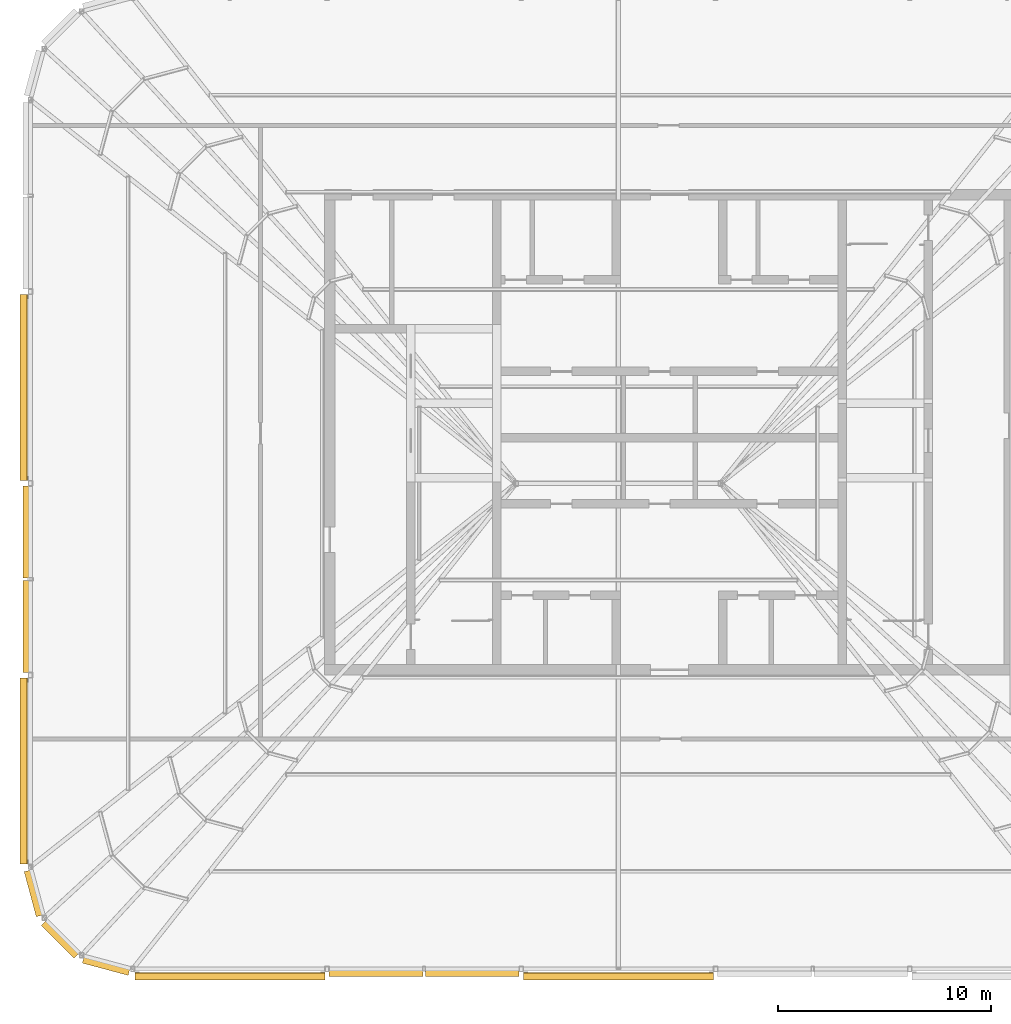
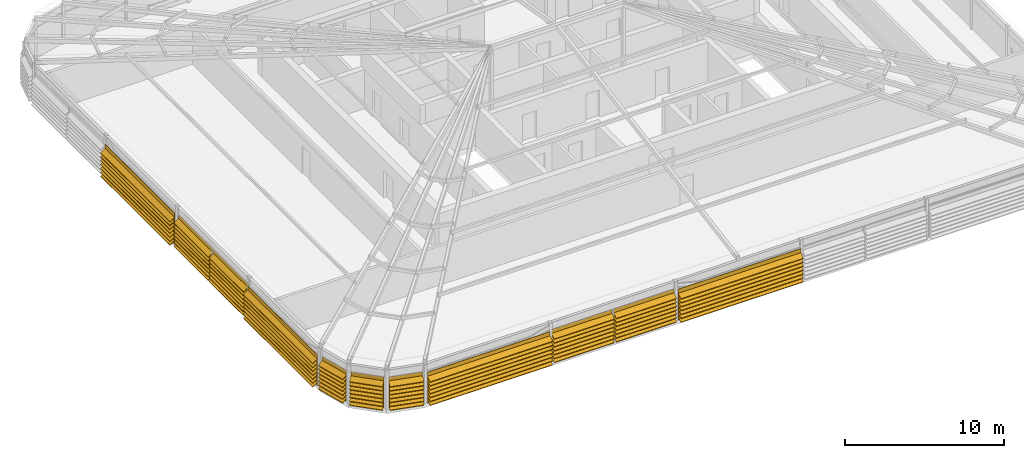
# One storey, part 42 of 46: 11 shading devices.
"""IFC4 building model written with IfcOpenShell, lengths in metres."""

from ifc_helpers import new_model, si_unit, direction, frame, origin, place, context, subcontext, project, spatial, polyline, outline, extrude, material, type_object, element, save


model = new_model("IFC4")

# Units and contexts
model_context = context("Model", 3, precision=1e-05, world=origin(), true_north=direction((0.0, 1.0)))
body_context = subcontext(model_context, "Body", "Model", "MODEL_VIEW")
ifc_project = project(units=[si_unit("LENGTHUNIT", "METRE"), si_unit("AREAUNIT", "SQUARE_METRE"), si_unit("VOLUMEUNIT", "CUBIC_METRE"), si_unit("PLANEANGLEUNIT", "RADIAN"), si_unit("MASSUNIT", "GRAM", prefix="KILO")], contexts=[model_context])

# Site, building, storey
site_placement = place(None, origin())
site = spatial("IfcSite", under=ifc_project, at=site_placement, CompositionType="ELEMENT")
building_placement = place(site_placement, origin())
building = spatial("IfcBuilding", under=site, at=building_placement, Name="Madar Terraces", CompositionType="ELEMENT")
storey_placement = place(building_placement, frame((0.0, 0.0, 317.300048828125)))
storey = spatial("IfcBuildingStorey", under=building, at=storey_placement, Name="L82", CompositionType="ELEMENT", Elevation=317.300048828125)

# Shading devices
ifc_material = material(Name="Aluminium, black anodised", Category="aluminium")
shading_device_type = type_object("IfcShadingDeviceType", Name="Crown louvre bank", PredefinedType="USERDEFINED", material=ifc_material)
shading_device_1_placement = place(storey_placement, frame((6.1015625, 1.199951171875, 0.0), z_axis=(1.0, 0.0, 0.0), x_axis=(0.0, 1.0, 0.0)))
element("IfcShadingDevice", 1, at=shading_device_1_placement, inside=storey, type_object=shading_device_type, Name="LOUVRE bank L82 1.1", ObjectType="LOUVRE", PredefinedType="USERDEFINED", context=body_context, shape_type="SweptSolid", body=[
    extrude(outline(polyline([(-0.156982421875, 0.0), (-0.18701171875, 0.0), (-0.18701171875, 0.24951171875), (-0.5146484375, 0.02001953125), (-0.5146484375, 0.06884765625), (-0.18701171875, 0.29833984375), (-0.18701171875, 0.54931640625), (-0.5146484375, 0.320068359375), (-0.5146484375, 0.368896484375), (-0.18701171875, 0.59814453125), (-0.18701171875, 0.849365234375), (-0.5146484375, 0.6201171875), (-0.5146484375, 0.6689453125), (-0.18701171875, 0.898193359375), (-0.18701171875, 1.1494140625), (-0.5146484375, 0.919921875), (-0.5146484375, 0.96875), (-0.18701171875, 1.1982421875), (-0.18701171875, 1.449462890625), (-0.5146484375, 1.219970703125), (-0.5146484375, 1.268798828125), (-0.18701171875, 1.498291015625), (-0.18701171875, 1.74951171875), (-0.5146484375, 1.52001953125), (-0.5146484375, 1.56884765625), (-0.18701171875, 1.79833984375), (-0.18701171875, 2.04931640625), (-0.5146484375, 1.820068359375), (-0.5146484375, 1.868896484375), (-0.18701171875, 2.09814453125), (-0.18701171875, 2.39794921875), (-0.156982421875, 2.39794921875), (-0.156982421875, 0.0)])), origin(), (0.0, 0.0, 1.0), 8.916748046875),
])
shading_device_2_placement = place(storey_placement, frame((15.2216796875, 1.199951171875, 0.0), z_axis=(1.0, 0.0, 0.0), x_axis=(0.0, 1.0, 0.0)))
element("IfcShadingDevice", 2, at=shading_device_2_placement, inside=storey, type_object=shading_device_type, Name="LOUVRE bank L82 2.1", ObjectType="LOUVRE", PredefinedType="USERDEFINED", context=body_context, shape_type="SweptSolid", body=[
    extrude(outline(polyline([(0.014892578125, 0.0), (-0.014892578125, 0.0), (-0.014892578125, 0.24951171875), (-0.3427734375, 0.02001953125), (-0.3427734375, 0.06884765625), (-0.014892578125, 0.29833984375), (-0.014892578125, 0.54931640625), (-0.3427734375, 0.320068359375), (-0.3427734375, 0.368896484375), (-0.014892578125, 0.59814453125), (-0.014892578125, 0.849365234375), (-0.3427734375, 0.6201171875), (-0.3427734375, 0.6689453125), (-0.014892578125, 0.898193359375), (-0.014892578125, 1.1494140625), (-0.3427734375, 0.919921875), (-0.3427734375, 0.96875), (-0.014892578125, 1.1982421875), (-0.014892578125, 1.449462890625), (-0.3427734375, 1.219970703125), (-0.3427734375, 1.268798828125), (-0.014892578125, 1.498291015625), (-0.014892578125, 1.74951171875), (-0.3427734375, 1.52001953125), (-0.3427734375, 1.56884765625), (-0.014892578125, 1.79833984375), (-0.014892578125, 2.04931640625), (-0.3427734375, 1.820068359375), (-0.3427734375, 1.868896484375), (-0.014892578125, 2.09814453125), (-0.014892578125, 2.39794921875), (0.014892578125, 2.39794921875), (0.014892578125, 0.0)])), origin(), (0.0, 0.0, 1.0), 4.394775390625),
])
shading_device_3_placement = place(storey_placement, frame((19.743408203125, 1.199951171875, 0.0), z_axis=(1.0, 0.0, 0.0), x_axis=(0.0, 1.0, 0.0)))
element("IfcShadingDevice", 3, at=shading_device_3_placement, inside=storey, type_object=shading_device_type, Name="LOUVRE bank L82 2.2", ObjectType="LOUVRE", PredefinedType="USERDEFINED", context=body_context, shape_type="SweptSolid", body=[
    extrude(outline(polyline([(0.014892578125, 0.0), (-0.014892578125, 0.0), (-0.014892578125, 0.24951171875), (-0.3427734375, 0.02001953125), (-0.3427734375, 0.06884765625), (-0.014892578125, 0.29833984375), (-0.014892578125, 0.54931640625), (-0.3427734375, 0.320068359375), (-0.3427734375, 0.368896484375), (-0.014892578125, 0.59814453125), (-0.014892578125, 0.849365234375), (-0.3427734375, 0.6201171875), (-0.3427734375, 0.6689453125), (-0.014892578125, 0.898193359375), (-0.014892578125, 1.1494140625), (-0.3427734375, 0.919921875), (-0.3427734375, 0.96875), (-0.014892578125, 1.1982421875), (-0.014892578125, 1.449462890625), (-0.3427734375, 1.219970703125), (-0.3427734375, 1.268798828125), (-0.014892578125, 1.498291015625), (-0.014892578125, 1.74951171875), (-0.3427734375, 1.52001953125), (-0.3427734375, 1.56884765625), (-0.014892578125, 1.79833984375), (-0.014892578125, 2.04931640625), (-0.3427734375, 1.820068359375), (-0.3427734375, 1.868896484375), (-0.014892578125, 2.09814453125), (-0.014892578125, 2.39794921875), (0.014892578125, 2.39794921875), (0.014892578125, 0.0)])), origin(), (0.0, 0.0, 1.0), 4.39501953125),
])
shading_device_4_placement = place(storey_placement, frame((24.341552734375, 1.199951171875, 0.0), z_axis=(1.0, 0.0, 0.0), x_axis=(0.0, 1.0, 0.0)))
element("IfcShadingDevice", 4, at=shading_device_4_placement, inside=storey, type_object=shading_device_type, Name="LOUVRE bank L82 3.1", ObjectType="LOUVRE", PredefinedType="USERDEFINED", context=body_context, shape_type="SweptSolid", body=[
    extrude(outline(polyline([(-0.156982421875, 0.0), (-0.18701171875, 0.0), (-0.18701171875, 0.24951171875), (-0.5146484375, 0.02001953125), (-0.5146484375, 0.06884765625), (-0.18701171875, 0.29833984375), (-0.18701171875, 0.54931640625), (-0.5146484375, 0.320068359375), (-0.5146484375, 0.368896484375), (-0.18701171875, 0.59814453125), (-0.18701171875, 0.849365234375), (-0.5146484375, 0.6201171875), (-0.5146484375, 0.6689453125), (-0.18701171875, 0.898193359375), (-0.18701171875, 1.1494140625), (-0.5146484375, 0.919921875), (-0.5146484375, 0.96875), (-0.18701171875, 1.1982421875), (-0.18701171875, 1.449462890625), (-0.5146484375, 1.219970703125), (-0.5146484375, 1.268798828125), (-0.18701171875, 1.498291015625), (-0.18701171875, 1.74951171875), (-0.5146484375, 1.52001953125), (-0.5146484375, 1.56884765625), (-0.18701171875, 1.79833984375), (-0.18701171875, 2.04931640625), (-0.5146484375, 1.820068359375), (-0.5146484375, 1.868896484375), (-0.18701171875, 2.09814453125), (-0.18701171875, 2.39794921875), (-0.156982421875, 2.39794921875), (-0.156982421875, 0.0)])), origin(), (0.0, 0.0, 1.0), 8.916748046875),
])
shading_device_5_placement = place(storey_placement, frame((1.199951171875, 32.873046875, 0.0), z_axis=(0.0, -1.0, 0.0), x_axis=(1.0, 0.0, 0.0)))
element("IfcShadingDevice", 5, at=shading_device_5_placement, inside=storey, type_object=shading_device_type, Name="LOUVRE bank L82 25.1", ObjectType="LOUVRE", PredefinedType="USERDEFINED", context=body_context, shape_type="SweptSolid", body=[
    extrude(outline(polyline([(-0.131591796875, 0.0), (-0.16162109375, 0.0), (-0.16162109375, 0.24951171875), (-0.4892578125, 0.02001953125), (-0.4892578125, 0.06884765625), (-0.16162109375, 0.29833984375), (-0.16162109375, 0.54931640625), (-0.4892578125, 0.320068359375), (-0.4892578125, 0.368896484375), (-0.16162109375, 0.59814453125), (-0.16162109375, 0.849365234375), (-0.4892578125, 0.6201171875), (-0.4892578125, 0.6689453125), (-0.16162109375, 0.898193359375), (-0.16162109375, 1.1494140625), (-0.4892578125, 0.919921875), (-0.4892578125, 0.96875), (-0.16162109375, 1.1982421875), (-0.16162109375, 1.449462890625), (-0.4892578125, 1.219970703125), (-0.4892578125, 1.268798828125), (-0.16162109375, 1.498291015625), (-0.16162109375, 1.74951171875), (-0.4892578125, 1.52001953125), (-0.4892578125, 1.56884765625), (-0.16162109375, 1.79833984375), (-0.16162109375, 2.04931640625), (-0.4892578125, 1.820068359375), (-0.4892578125, 1.868896484375), (-0.16162109375, 2.09814453125), (-0.16162109375, 2.39794921875), (-0.131591796875, 2.39794921875), (-0.131591796875, 0.0)])), origin(), (0.0, 0.0, 1.0), 8.74609375),
])
for number, where, z_axis, x_axis, name in (
    (6, (1.199951171875, 23.873046875, 0.0), (0.0, -1.0, 0.0), (1.0, 0.0, 0.0), "LOUVRE bank L82 26.1"),
    (7, (1.199951171875, 19.4365234375, 0.0), (0.0, -1.0, 0.0), (1.0, 0.0, 0.0), "LOUVRE bank L82 26.2"),
):
    element("IfcShadingDevice", number, at=place(storey_placement, frame(where, z_axis=z_axis, x_axis=x_axis)), inside=storey, type_object=shading_device_type, Name=name, ObjectType="LOUVRE", PredefinedType="USERDEFINED", context=body_context, shape_type="SweptSolid", body=[
        extrude(outline(polyline([(0.014892578125, 0.0), (-0.014892578125, 0.0), (-0.014892578125, 0.24951171875), (-0.3427734375, 0.02001953125), (-0.3427734375, 0.06884765625), (-0.014892578125, 0.29833984375), (-0.014892578125, 0.54931640625), (-0.3427734375, 0.320068359375), (-0.3427734375, 0.368896484375), (-0.014892578125, 0.59814453125), (-0.014892578125, 0.849365234375), (-0.3427734375, 0.6201171875), (-0.3427734375, 0.6689453125), (-0.014892578125, 0.898193359375), (-0.014892578125, 1.1494140625), (-0.3427734375, 0.919921875), (-0.3427734375, 0.96875), (-0.014892578125, 1.1982421875), (-0.014892578125, 1.449462890625), (-0.3427734375, 1.219970703125), (-0.3427734375, 1.268798828125), (-0.014892578125, 1.498291015625), (-0.014892578125, 1.74951171875), (-0.3427734375, 1.52001953125), (-0.3427734375, 1.56884765625), (-0.014892578125, 1.79833984375), (-0.014892578125, 2.04931640625), (-0.3427734375, 1.820068359375), (-0.3427734375, 1.868896484375), (-0.014892578125, 2.09814453125), (-0.014892578125, 2.39794921875), (0.014892578125, 2.39794921875), (0.014892578125, 0.0)])), origin(), (0.0, 0.0, 1.0), 4.3095703125),
    ])
shading_device_6_placement = place(storey_placement, frame((1.199951171875, 14.873046875, 0.0), z_axis=(0.0, -1.0, 0.0), x_axis=(1.0, 0.0, 0.0)))
element("IfcShadingDevice", 8, at=shading_device_6_placement, inside=storey, type_object=shading_device_type, Name="LOUVRE bank L82 27.1", ObjectType="LOUVRE", PredefinedType="USERDEFINED", context=body_context, shape_type="SweptSolid", body=[
    extrude(outline(polyline([(-0.131591796875, 0.0), (-0.16162109375, 0.0), (-0.16162109375, 0.24951171875), (-0.4892578125, 0.02001953125), (-0.4892578125, 0.06884765625), (-0.16162109375, 0.29833984375), (-0.16162109375, 0.54931640625), (-0.4892578125, 0.320068359375), (-0.4892578125, 0.368896484375), (-0.16162109375, 0.59814453125), (-0.16162109375, 0.849365234375), (-0.4892578125, 0.6201171875), (-0.4892578125, 0.6689453125), (-0.16162109375, 0.898193359375), (-0.16162109375, 1.1494140625), (-0.4892578125, 0.919921875), (-0.4892578125, 0.96875), (-0.16162109375, 1.1982421875), (-0.16162109375, 1.449462890625), (-0.4892578125, 1.219970703125), (-0.4892578125, 1.268798828125), (-0.16162109375, 1.498291015625), (-0.16162109375, 1.74951171875), (-0.4892578125, 1.52001953125), (-0.4892578125, 1.56884765625), (-0.16162109375, 1.79833984375), (-0.16162109375, 2.04931640625), (-0.4892578125, 1.820068359375), (-0.4892578125, 1.868896484375), (-0.16162109375, 2.09814453125), (-0.16162109375, 2.39794921875), (-0.131591796875, 2.39794921875), (-0.131591796875, 0.0)])), origin(), (0.0, 0.0, 1.0), 8.74609375),
])
shading_device_7_placement = place(storey_placement, frame((1.238525390625, 5.856201171875, 0.0), z_axis=(0.258788169352, -0.965934098893, 0.0), x_axis=(0.965934098893, 0.258788169352, 0.0)))
element("IfcShadingDevice", 9, at=shading_device_7_placement, inside=storey, type_object=shading_device_type, Name="LOUVRE bank L82 28.1", ObjectType="LOUVRE", PredefinedType="USERDEFINED", context=body_context, shape_type="SweptSolid", body=[
    extrude(outline(polyline([(0.014892578125, 0.0), (-0.014892578125, 0.0), (-0.014892578125, 0.24951171875), (-0.3427734375, 0.02001953125), (-0.3427734375, 0.06884765625), (-0.014892578125, 0.29833984375), (-0.014892578125, 0.54931640625), (-0.3427734375, 0.320068359375), (-0.3427734375, 0.368896484375), (-0.014892578125, 0.59814453125), (-0.014892578125, 0.849365234375), (-0.3427734375, 0.6201171875), (-0.3427734375, 0.6689453125), (-0.014892578125, 0.898193359375), (-0.014892578125, 1.1494140625), (-0.3427734375, 0.919921875), (-0.3427734375, 0.96875), (-0.014892578125, 1.1982421875), (-0.014892578125, 1.449462890625), (-0.3427734375, 1.219970703125), (-0.3427734375, 1.268798828125), (-0.014892578125, 1.498291015625), (-0.014892578125, 1.74951171875), (-0.3427734375, 1.52001953125), (-0.3427734375, 1.56884765625), (-0.014892578125, 1.79833984375), (-0.014892578125, 2.04931640625), (-0.3427734375, 1.820068359375), (-0.3427734375, 1.868896484375), (-0.014892578125, 2.09814453125), (-0.014892578125, 2.39794921875), (0.014892578125, 2.39794921875), (0.014892578125, 0.0)])), origin(), (0.0, 0.0, 1.0), 2.186767578125),
])
shading_device_8_placement = place(storey_placement, frame((1.957275390625, 3.485595703125, 0.0), z_axis=(0.707106781187, -0.707106781187, 0.0), x_axis=(0.707106781187, 0.707106781187, 0.0)))
element("IfcShadingDevice", 10, at=shading_device_8_placement, inside=storey, type_object=shading_device_type, Name="LOUVRE bank L82 29.1", ObjectType="LOUVRE", PredefinedType="USERDEFINED", context=body_context, shape_type="SweptSolid", body=[
    extrude(outline(polyline([(0.014892578125, 0.0), (-0.014892578125, 0.0), (-0.014892578125, 0.24951171875), (-0.3427734375, 0.02001953125), (-0.3427734375, 0.06884765625), (-0.014892578125, 0.29833984375), (-0.014892578125, 0.54931640625), (-0.3427734375, 0.320068359375), (-0.3427734375, 0.368896484375), (-0.014892578125, 0.59814453125), (-0.014892578125, 0.849365234375), (-0.3427734375, 0.6201171875), (-0.3427734375, 0.6689453125), (-0.014892578125, 0.898193359375), (-0.014892578125, 1.1494140625), (-0.3427734375, 0.919921875), (-0.3427734375, 0.96875), (-0.014892578125, 1.1982421875), (-0.014892578125, 1.449462890625), (-0.3427734375, 1.219970703125), (-0.3427734375, 1.268798828125), (-0.014892578125, 1.498291015625), (-0.014892578125, 1.74951171875), (-0.3427734375, 1.52001953125), (-0.3427734375, 1.56884765625), (-0.014892578125, 1.79833984375), (-0.014892578125, 2.04931640625), (-0.3427734375, 1.820068359375), (-0.3427734375, 1.868896484375), (-0.014892578125, 2.09814453125), (-0.014892578125, 2.39794921875), (0.014892578125, 2.39794921875), (0.014892578125, 0.0)])), origin(), (0.0, 0.0, 1.0), 2.161376953125),
])
shading_device_9_placement = place(storey_placement, frame((3.7265625, 1.80908203125, 0.0), z_axis=(0.965935304808, -0.258783668197, 0.0), x_axis=(0.258783668197, 0.965935304808, 0.0)))
element("IfcShadingDevice", 11, at=shading_device_9_placement, inside=storey, type_object=shading_device_type, Name="LOUVRE bank L82 30.1", ObjectType="LOUVRE", PredefinedType="USERDEFINED", context=body_context, shape_type="SweptSolid", body=[
    extrude(outline(polyline([(0.014892578125, 0.0), (-0.014892578125, 0.0), (-0.014892578125, 0.24951171875), (-0.3427734375, 0.02001953125), (-0.3427734375, 0.06884765625), (-0.014892578125, 0.29833984375), (-0.014892578125, 0.54931640625), (-0.3427734375, 0.320068359375), (-0.3427734375, 0.368896484375), (-0.014892578125, 0.59814453125), (-0.014892578125, 0.849365234375), (-0.3427734375, 0.6201171875), (-0.3427734375, 0.6689453125), (-0.014892578125, 0.898193359375), (-0.014892578125, 1.1494140625), (-0.3427734375, 0.919921875), (-0.3427734375, 0.96875), (-0.014892578125, 1.1982421875), (-0.014892578125, 1.449462890625), (-0.3427734375, 1.219970703125), (-0.3427734375, 1.268798828125), (-0.014892578125, 1.498291015625), (-0.014892578125, 1.74951171875), (-0.3427734375, 1.52001953125), (-0.3427734375, 1.56884765625), (-0.014892578125, 1.79833984375), (-0.014892578125, 2.04931640625), (-0.3427734375, 1.820068359375), (-0.3427734375, 1.868896484375), (-0.014892578125, 2.09814453125), (-0.014892578125, 2.39794921875), (0.014892578125, 2.39794921875), (0.014892578125, 0.0)])), origin(), (0.0, 0.0, 1.0), 2.22265625),
])

save(model, "model.ifc")
